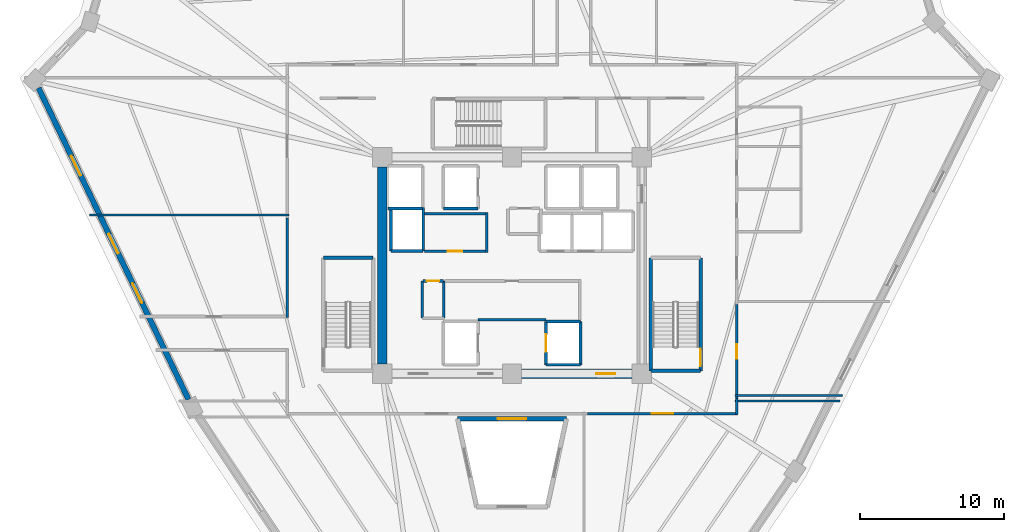
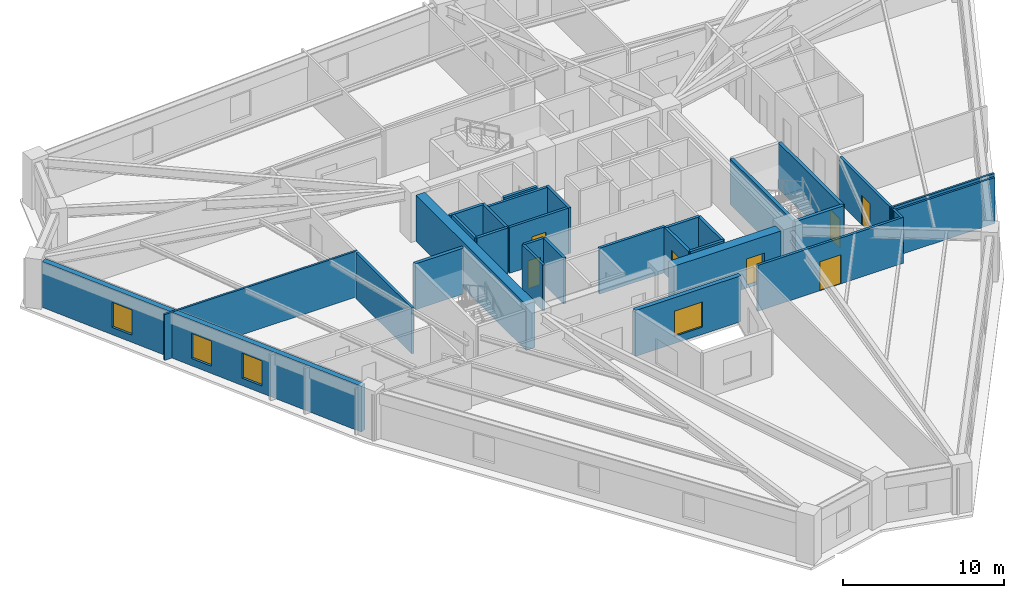
# One storey, part 4 of 9: 31 walls, 7 doors, 4 windows, 11 openings.
"""IFC4 building model written with IfcOpenShell, lengths in metres."""

from ifc_helpers import new_model, si_unit, direction, frame, frame_2d, origin, place, context, subcontext, project, spatial, rectangle, extrude, source, transform, mapped, material, layer, layer_set, type_object, element, fill, save


model = new_model("IFC4")

# Units and contexts
model_context = context("Model", 3, precision=1e-05, world=origin(), true_north=direction((0.0, 1.0)))
body_context = subcontext(model_context, "Body", "Model", "MODEL_VIEW")
ifc_project = project(units=[si_unit("LENGTHUNIT", "METRE"), si_unit("AREAUNIT", "SQUARE_METRE"), si_unit("VOLUMEUNIT", "CUBIC_METRE"), si_unit("PLANEANGLEUNIT", "RADIAN"), si_unit("MASSUNIT", "GRAM", prefix="KILO")], contexts=[model_context])

# Site, building, storey
site_placement = place(None, origin())
site = spatial("IfcSite", under=ifc_project, at=site_placement, CompositionType="ELEMENT")
building_placement = place(site_placement, origin())
building = spatial("IfcBuilding", under=site, at=building_placement, Name="Liaohun Quay Tower", CompositionType="ELEMENT")
storey_placement = place(building_placement, frame((0.0, 0.0, 228.0)))
storey = spatial("IfcBuildingStorey", under=building, at=storey_placement, Name="L59", CompositionType="ELEMENT", Elevation=228.0)

# Wall, opening, window
ifc_material_1 = material(Name="Concrete C50", Category="concrete")
ifc_layer_1 = layer(ifc_material_1, 0.300048828125, Name="Concrete C50", Category="concrete")
ifc_layer_set_1 = layer_set([ifc_layer_1], Name="Concrete C50")
wall_type_1 = type_object("IfcWallType", Name="WAL-ATR-300", PredefinedType="SOLIDWALL", material=ifc_layer_set_1)
wall_1_placement = place(storey_placement, frame((56.236083984375, 43.3701171875, 0.0), z_axis=(0.0, 0.0, 1.0), x_axis=(1.0, 0.0, 0.0)))
wall_1 = element("IfcWall", 1, at=wall_1_placement, inside=storey, type_object=wall_type_1, Name="L59 Atrium Fire Compartment Wall 2", PredefinedType="SOLIDWALL", context=body_context, shape_type="SweptSolid", body=[
    extrude(rectangle(XDim=7.52783203125, YDim=0.300048828125, at=frame_2d((3.763916015625, 0.0))), origin(), (0.0, 0.0, 1.0), 3.469970703125),
])
shared_shape_1 = source(origin(), body_context, "Body", "SweptSolid", [
    extrude(rectangle(XDim=2.0, YDim=1.89990234375, at=frame_2d((1.0, 0.949951171875))), frame((0.0, 0.159912109375, 0.0), z_axis=(0.0, -1.0, 0.0), x_axis=(1.0, 0.0, 0.0)), (0.0, 0.0, 1.0), 0.320068359375),
])
opening_1_placement = place(wall_1_placement, frame((2.763916015625, 0.0, 0.550048828125)))
opening_1 = element("IfcOpeningElement", 2, at=opening_1_placement, cuts=wall_1, Name="Opening W07", PredefinedType="OPENING", context=body_context, shape_type="MappedRepresentation", body=[
    mapped(shared_shape_1, transform((0.0, 0.0, 0.0), x_axis=(1.0, 0.0, 0.0), y_axis=(0.0, 1.0, 0.0), z_axis=(0.0, 0.0, 1.0), scale=1.0)),
])
ifc_material_2 = material(Name="Class A 180-min fire-resistant insulated glazing", Category="glass")
window_type_1 = type_object("IfcWindowType", Name="WIN-ATR-FIR", PartitioningType="DOUBLE_PANEL_VERTICAL", PredefinedType="WINDOW", material=ifc_material_2)
shared_shape_2 = source(origin(), body_context, "Body", "SweptSolid", [
    extrude(rectangle(XDim=2.0, YDim=1.89990234375, at=frame_2d((1.0, 0.949951171875))), frame((0.0, 0.030029296875, 0.0), z_axis=(0.0, -1.0, 0.0), x_axis=(1.0, 0.0, 0.0)), (0.0, 0.0, 1.0), 0.06005859375),
])
window_1_placement = place(opening_1_placement, origin())
window_1 = element("IfcWindow", 3, at=window_1_placement, inside=storey, type_object=window_type_1, Name="L59 Atrium Fire-Resistant Glazing W07-2", OverallHeight=1.89990234375, OverallWidth=2.0, PartitioningType="DOUBLE_PANEL_VERTICAL", PredefinedType="WINDOW", context=body_context, shape_type="MappedRepresentation", body=[
    mapped(shared_shape_2, transform((0.0, 0.0, 0.0), x_axis=(1.0, 0.0, 0.0), y_axis=(0.0, 1.0, 0.0), z_axis=(0.0, 0.0, 1.0), scale=1.0)),
])
fill(opening_1, window_1)

# Wall, opening, door
ifc_material_3 = material(Name="Concrete C55", Category="concrete")
ifc_layer_2 = layer(ifc_material_3, 0.64990234375, Name="Concrete C55", Category="concrete")
ifc_layer_set_2 = layer_set([ifc_layer_2], Name="Concrete C55")
wall_type_2 = type_object("IfcWallType", Name="WAL-COR-Z3", PredefinedType="SHEAR", material=ifc_layer_set_2)
wall_2_placement = place(storey_placement, frame((68.324951171875, 46.5, 0.0), z_axis=(0.0, 0.0, 1.0), x_axis=(-1.0, 0.0, 0.0)))
wall_2 = element("IfcWall", 4, at=wall_2_placement, inside=storey, type_object=wall_type_2, Name="L59 Central Core Shear Wall S-E", PredefinedType="SHEAR", context=body_context, shape_type="SweptSolid", body=[
    extrude(rectangle(XDim=7.64990234375, YDim=0.64990234375, at=frame_2d((3.824951171875, 0.0))), origin(), (0.0, 0.0, 1.0), 3.469970703125),
])
shared_shape_3 = source(origin(), body_context, "Body", "SweptSolid", [
    extrude(rectangle(XDim=1.300048828125, YDim=2.199951171875, at=frame_2d((0.64990234375, 1.10009765625))), frame((0.0, 0.3349609375, 0.0), z_axis=(0.0, -1.0, 0.0), x_axis=(1.0, 0.0, 0.0)), (0.0, 0.0, 1.0), 0.669921875),
])
opening_2_placement = place(wall_2_placement, frame((1.175048828125, 0.0, 0.0)))
opening_2 = element("IfcOpeningElement", 5, at=opening_2_placement, cuts=wall_2, Name="Opening FD1", PredefinedType="OPENING", context=body_context, shape_type="MappedRepresentation", body=[
    mapped(shared_shape_3, transform((0.0, 0.0, 0.0), x_axis=(1.0, 0.0, 0.0), y_axis=(0.0, 1.0, 0.0), z_axis=(0.0, 0.0, 1.0), scale=1.0)),
])
ifc_material_4 = material(Name="Galvanised steel smokeproof fire door", Category="steel")
door_type_1 = type_object("IfcDoorType", Name="DOR-FFL-1300", OperationType="NOTDEFINED", PredefinedType="DOOR", material=ifc_material_4)
shared_shape_4 = source(origin(), body_context, "Body", "SweptSolid", [
    extrude(rectangle(XDim=1.300048828125, YDim=2.199951171875, at=frame_2d((0.64990234375, 1.10009765625))), frame((0.0, 0.02490234375, 0.0), z_axis=(0.0, -1.0, 0.0), x_axis=(1.0, 0.0, 0.0)), (0.0, 0.0, 1.0), 0.050048828125),
])
door_1_placement = place(opening_2_placement, origin())
door_1 = element("IfcDoor", 6, at=door_1_placement, inside=storey, type_object=door_type_1, Name="L59 East Core Lift Lobby Smokeproof Door", OperationType="SINGLE_SWING_LEFT", OverallHeight=2.199951171875, OverallWidth=1.300048828125, PredefinedType="DOOR", context=body_context, shape_type="MappedRepresentation", body=[
    mapped(shared_shape_4, transform((0.0, 0.0, 0.0), x_axis=(1.0, 0.0, 0.0), y_axis=(0.0, 1.0, 0.0), z_axis=(0.0, 0.0, 1.0), scale=1.0)),
])
fill(opening_2, door_1)

# Wall
wall_3_placement = place(storey_placement, frame((51.0, 47.175048828125, 0.0), z_axis=(0.0, 0.0, 1.0), x_axis=(0.0, 1.0, 0.0)))
element("IfcWall", 7, at=wall_3_placement, inside=storey, type_object=wall_type_2, Name="L59 Central Core Shear Wall W", PredefinedType="SHEAR", context=body_context, shape_type="SweptSolid", body=[
    extrude(rectangle(XDim=13.64990234375, YDim=0.64990234375, at=frame_2d((6.824951171875, 0.0))), origin(), (0.0, 0.0, 1.0), 3.469970703125),
])

# Wall, openings, windows
ifc_material_5 = material(Name="Precast concrete C50 insulated sandwich", Category="concrete")
ifc_layer_3 = layer(ifc_material_5, 0.3798828125, Name="Precast concrete C50 insulated sandwich", Category="concrete")
ifc_layer_set_3 = layer_set([ifc_layer_3], Name="Precast concrete C50 insulated sandwich")
wall_type_3 = type_object("IfcWallType", Name="WAL-EXT-Z34", PredefinedType="SOLIDWALL", material=ifc_layer_set_3)
wall_4_placement = place(storey_placement, frame((27.2109375, 66.287109375, 0.0), z_axis=(0.0, 0.0, 1.0), x_axis=(0.433730710757, -0.901042546469, 0.0)))
wall_4 = element("IfcWall", 8, at=wall_4_placement, inside=storey, type_object=wall_type_3, Name="L59 Brutalist Precast Pier Wall 10", PredefinedType="SOLIDWALL", context=body_context, shape_type="SweptSolid", body=[
    extrude(rectangle(XDim=23.947998046875, YDim=0.3798828125, at=frame_2d((11.97412109375, 0.0))), origin(), (0.0, 0.0, 1.0), 3.469970703125),
])
shared_shape_5 = source(origin(), body_context, "Body", "SweptSolid", [
    extrude(rectangle(XDim=1.5, YDim=1.89990234375, at=frame_2d((0.75, 0.949951171875))), frame((0.0, 0.199951171875, 0.0), z_axis=(0.0, -1.0, 0.0), x_axis=(1.0, 0.0, 0.0)), (0.0, 0.0, 1.0), 0.39990234375),
])
opening_3_placement = place(wall_4_placement, frame((5.237060546875, 0.0, 0.550048828125)))
opening_3 = element("IfcOpeningElement", 9, at=opening_3_placement, cuts=wall_4, Name="Opening W03", PredefinedType="OPENING", context=body_context, shape_type="MappedRepresentation", body=[
    mapped(shared_shape_5, transform((0.0, 0.0, 0.0), x_axis=(1.0, 0.0, 0.0), y_axis=(0.0, 1.0, 0.0), z_axis=(0.0, 0.0, 1.0), scale=1.0)),
])
opening_4_placement = place(wall_4_placement, frame((11.22412109375, 0.0, 0.550048828125)))
opening_4 = element("IfcOpeningElement", 10, at=opening_4_placement, cuts=wall_4, Name="Opening W03", PredefinedType="OPENING", context=body_context, shape_type="MappedRepresentation", body=[
    mapped(shared_shape_5, transform((0.0, 0.0, 0.0), x_axis=(1.0, 0.0, 0.0), y_axis=(0.0, 1.0, 0.0), z_axis=(0.0, 0.0, 1.0), scale=1.0)),
])
opening_5_placement = place(wall_4_placement, frame((15.010986328125, 0.0, 0.550048828125)))
opening_5 = element("IfcOpeningElement", 11, at=opening_5_placement, cuts=wall_4, Name="Opening W03", PredefinedType="OPENING", context=body_context, shape_type="MappedRepresentation", body=[
    mapped(shared_shape_5, transform((0.0, 0.0, 0.0), x_axis=(1.0, 0.0, 0.0), y_axis=(0.0, 1.0, 0.0), z_axis=(0.0, 0.0, 1.0), scale=1.0)),
])
ifc_material_6 = material(Name="Triple Low-E argon glazing in thermally broken aluminium", Category="aluminium")
window_type_2 = type_object("IfcWindowType", Name="WIN-PUN-Z3", PartitioningType="DOUBLE_PANEL_VERTICAL", PredefinedType="WINDOW", material=ifc_material_6)
shared_shape_6 = source(origin(), body_context, "Body", "SweptSolid", [
    extrude(rectangle(XDim=1.5, YDim=1.89990234375, at=frame_2d((0.75, 0.949951171875))), frame((0.0, 0.030029296875, 0.0), z_axis=(0.0, -1.0, 0.0), x_axis=(1.0, 0.0, 0.0)), (0.0, 0.0, 1.0), 0.06005859375),
])
window_2_placement = place(opening_3_placement, origin())
window_2 = element("IfcWindow", 12, at=window_2_placement, inside=storey, type_object=window_type_2, Name="L59 Recessed Cold-Climate Punched Window 10-1", OverallHeight=1.89990234375, OverallWidth=1.5, PartitioningType="DOUBLE_PANEL_VERTICAL", PredefinedType="WINDOW", context=body_context, shape_type="MappedRepresentation", body=[
    mapped(shared_shape_6, transform((0.0, 0.0, 0.0), x_axis=(1.0, 0.0, 0.0), y_axis=(0.0, 1.0, 0.0), z_axis=(0.0, 0.0, 1.0), scale=1.0)),
])
fill(opening_3, window_2)
window_3_placement = place(opening_4_placement, origin())
window_3 = element("IfcWindow", 13, at=window_3_placement, inside=storey, type_object=window_type_2, Name="L59 Recessed Cold-Climate Punched Window 10-2", OverallHeight=1.89990234375, OverallWidth=1.5, PartitioningType="DOUBLE_PANEL_VERTICAL", PredefinedType="WINDOW", context=body_context, shape_type="MappedRepresentation", body=[
    mapped(shared_shape_6, transform((0.0, 0.0, 0.0), x_axis=(1.0, 0.0, 0.0), y_axis=(0.0, 1.0, 0.0), z_axis=(0.0, 0.0, 1.0), scale=1.0)),
])
fill(opening_4, window_3)
window_4_placement = place(opening_5_placement, origin())
window_4 = element("IfcWindow", 14, at=window_4_placement, inside=storey, type_object=window_type_2, Name="L59 Recessed Cold-Climate Punched Window 10-3", OverallHeight=1.89990234375, OverallWidth=1.5, PartitioningType="DOUBLE_PANEL_VERTICAL", PredefinedType="WINDOW", context=body_context, shape_type="MappedRepresentation", body=[
    mapped(shared_shape_6, transform((0.0, 0.0, 0.0), x_axis=(1.0, 0.0, 0.0), y_axis=(0.0, 1.0, 0.0), z_axis=(0.0, 0.0, 1.0), scale=1.0)),
])
fill(opening_5, window_4)

# Wall, opening, door
ifc_material_7 = material(Name="Autoclaved aerated concrete blockwork", Category="masonry")
ifc_layer_4 = layer(ifc_material_7, 0.179931640625, Name="Autoclaved aerated concrete blockwork", Category="masonry")
ifc_layer_set_4 = layer_set([ifc_layer_4], Name="Autoclaved aerated concrete blockwork")
wall_type_4 = type_object("IfcWallType", Name="WAL-PRT-COR", PredefinedType="PARTITIONING", material=ifc_layer_set_4)
wall_5_placement = place(storey_placement, frame((53.949951171875, 54.97998046875, 0.0), z_axis=(0.0, 0.0, 1.0), x_axis=(1.0, 0.0, 0.0)))
wall_5 = element("IfcWall", 15, at=wall_5_placement, inside=storey, type_object=wall_type_4, Name="L59 Interior Partition Wall 002", PredefinedType="PARTITIONING", context=body_context, shape_type="SweptSolid", body=[
    extrude(rectangle(XDim=4.2099609375, YDim=0.179931640625, at=frame_2d((2.10498046875, 0.0))), origin(), (0.0, 0.0, 1.0), 3.469970703125),
])
shared_shape_7 = source(origin(), body_context, "Body", "SweptSolid", [
    extrude(rectangle(XDim=1.0, YDim=2.199951171875, at=frame_2d((0.5, 1.10009765625))), frame((0.0, 0.099853515625, 0.0), z_axis=(0.0, -1.0, 0.0), x_axis=(1.0, 0.0, 0.0)), (0.0, 0.0, 1.0), 0.199951171875),
])
opening_6_placement = place(wall_5_placement, frame((1.60009765625, 0.0, 0.0)))
opening_6 = element("IfcOpeningElement", 16, at=opening_6_placement, cuts=wall_5, Name="Opening OD1", PredefinedType="OPENING", context=body_context, shape_type="MappedRepresentation", body=[
    mapped(shared_shape_7, transform((0.0, 0.0, 0.0), x_axis=(1.0, 0.0, 0.0), y_axis=(0.0, 1.0, 0.0), z_axis=(0.0, 0.0, 1.0), scale=1.0)),
])
ifc_material_8 = material(Name="Solid-core oak veneer timber leaf in steel frame", Category="steel")
door_type_2 = type_object("IfcDoorType", Name="DOR-OFF-1000", OperationType="NOTDEFINED", PredefinedType="DOOR", material=ifc_material_8)
shared_shape_8 = source(origin(), body_context, "Body", "SweptSolid", [
    extrude(rectangle(XDim=1.0, YDim=2.199951171875, at=frame_2d((0.5, 1.10009765625))), frame((0.0, 0.02490234375, 0.0), z_axis=(0.0, -1.0, 0.0), x_axis=(1.0, 0.0, 0.0)), (0.0, 0.0, 1.0), 0.050048828125),
])
door_2_placement = place(opening_6_placement, origin())
door_2 = element("IfcDoor", 17, at=door_2_placement, inside=storey, type_object=door_type_2, Name="L59 Core Staff Pantry and Tea Room Door", OperationType="SINGLE_SWING_LEFT", OverallHeight=2.199951171875, OverallWidth=1.0, PredefinedType="DOOR", context=body_context, shape_type="MappedRepresentation", body=[
    mapped(shared_shape_8, transform((0.0, 0.0, 0.0), x_axis=(1.0, 0.0, 0.0), y_axis=(0.0, 1.0, 0.0), z_axis=(0.0, 0.0, 1.0), scale=1.0)),
])
fill(opening_6, door_2)

wall_6_placement = place(storey_placement, frame((53.820068359375, 52.919921875, 0.0), z_axis=(0.0, 0.0, 1.0), x_axis=(1.0, 0.0, 0.0)))
wall_6 = element("IfcWall", 18, at=wall_6_placement, inside=storey, type_object=wall_type_4, Name="L59 Interior Partition Wall 004", PredefinedType="PARTITIONING", context=body_context, shape_type="SweptSolid", body=[
    extrude(rectangle(XDim=1.429931640625, YDim=0.179931640625, at=frame_2d((0.71484375, 0.0))), origin(), (0.0, 0.0, 1.0), 3.469970703125),
])
shared_shape_9 = source(origin(), body_context, "Body", "SweptSolid", [
    extrude(rectangle(XDim=0.85009765625, YDim=2.10009765625, at=frame_2d((0.425048828125, 1.050048828125))), frame((0.0, 0.099853515625, 0.0), z_axis=(0.0, -1.0, 0.0), x_axis=(1.0, 0.0, 0.0)), (0.0, 0.0, 1.0), 0.199951171875),
])
opening_7_placement = place(wall_6_placement, frame((0.2900390625, 0.0, 0.0)))
opening_7 = element("IfcOpeningElement", 19, at=opening_7_placement, cuts=wall_6, Name="Opening AD1", PredefinedType="OPENING", context=body_context, shape_type="MappedRepresentation", body=[
    mapped(shared_shape_9, transform((0.0, 0.0, 0.0), x_axis=(1.0, 0.0, 0.0), y_axis=(0.0, 1.0, 0.0), z_axis=(0.0, 0.0, 1.0), scale=1.0)),
])
ifc_material_9 = material(Name="Steel riser inspection fire door", Category="steel")
door_type_3 = type_object("IfcDoorType", Name="DOR-SHF-850", OperationType="NOTDEFINED", PredefinedType="DOOR", material=ifc_material_9)
shared_shape_10 = source(origin(), body_context, "Body", "SweptSolid", [
    extrude(rectangle(XDim=0.85009765625, YDim=2.10009765625, at=frame_2d((0.425048828125, 1.050048828125))), frame((0.0, 0.02490234375, 0.0), z_axis=(0.0, -1.0, 0.0), x_axis=(1.0, 0.0, 0.0)), (0.0, 0.0, 1.0), 0.050048828125),
])
door_3_placement = place(opening_7_placement, origin())
door_3 = element("IfcDoor", 20, at=door_3_placement, inside=storey, type_object=door_type_3, Name="L59 Mechanical Smoke Duct Room Door", OperationType="SINGLE_SWING_LEFT", OverallHeight=2.10009765625, OverallWidth=0.85009765625, PredefinedType="DOOR", context=body_context, shape_type="MappedRepresentation", body=[
    mapped(shared_shape_10, transform((0.0, 0.0, 0.0), x_axis=(1.0, 0.0, 0.0), y_axis=(0.0, 1.0, 0.0), z_axis=(0.0, 0.0, 1.0), scale=1.0)),
])
fill(opening_7, door_3)

wall_7_placement = place(storey_placement, frame((75.6298828125, 43.739990234375, 0.0), z_axis=(0.0, 0.0, 1.0), x_axis=(-1.0, 0.0, 0.0)))
wall_7 = element("IfcWall", 21, at=wall_7_placement, inside=storey, type_object=wall_type_4, Name="L59 Interior Partition Wall 022", PredefinedType="PARTITIONING", context=body_context, shape_type="SweptSolid", body=[
    extrude(rectangle(XDim=10.414794921875, YDim=0.179931640625, at=frame_2d((5.20751953125, 0.0))), origin(), (0.0, 0.0, 1.0), 3.469970703125),
])
shared_shape_11 = source(origin(), body_context, "Body", "SweptSolid", [
    extrude(rectangle(XDim=1.5, YDim=2.199951171875, at=frame_2d((0.75, 1.10009765625))), frame((0.0, 0.099853515625, 0.0), z_axis=(0.0, -1.0, 0.0), x_axis=(1.0, 0.0, 0.0)), (0.0, 0.0, 1.0), 0.199951171875),
])
opening_8_placement = place(wall_7_placement, frame((4.45703125, 0.0, 0.0)))
opening_8 = element("IfcOpeningElement", 22, at=opening_8_placement, cuts=wall_7, Name="Opening OD2", PredefinedType="OPENING", context=body_context, shape_type="MappedRepresentation", body=[
    mapped(shared_shape_11, transform((0.0, 0.0, 0.0), x_axis=(1.0, 0.0, 0.0), y_axis=(0.0, 1.0, 0.0), z_axis=(0.0, 0.0, 1.0), scale=1.0)),
])
ifc_material_10 = material(Name="Acoustic oak veneer double door")
door_type_4 = type_object("IfcDoorType", Name="DOR-OFF-1500", OperationType="DOUBLE_DOOR_SINGLE_SWING", PredefinedType="DOOR", material=ifc_material_10)
shared_shape_12 = source(origin(), body_context, "Body", "SweptSolid", [
    extrude(rectangle(XDim=1.5, YDim=2.199951171875, at=frame_2d((0.75, 1.10009765625))), frame((0.0, 0.02490234375, 0.0), z_axis=(0.0, -1.0, 0.0), x_axis=(1.0, 0.0, 0.0)), (0.0, 0.0, 1.0), 0.050048828125),
])
door_4_placement = place(opening_8_placement, origin())
door_4 = element("IfcDoor", 23, at=door_4_placement, inside=storey, type_object=door_type_4, Name="L59 Executive Partner Office 11 Door", OperationType="DOUBLE_DOOR_SINGLE_SWING", OverallHeight=2.199951171875, OverallWidth=1.5, PredefinedType="DOOR", context=body_context, shape_type="MappedRepresentation", body=[
    mapped(shared_shape_12, transform((0.0, 0.0, 0.0), x_axis=(1.0, 0.0, 0.0), y_axis=(0.0, 1.0, 0.0), z_axis=(0.0, 0.0, 1.0), scale=1.0)),
])
fill(opening_8, door_4)

wall_8_placement = place(storey_placement, frame((75.56005859375, 51.284912109375, 0.0), z_axis=(0.0, 0.0, 1.0), x_axis=(0.0, -1.0, 0.0)))
wall_8 = element("IfcWall", 24, at=wall_8_placement, inside=storey, type_object=wall_type_4, Name="L59 Interior Partition Wall 023", PredefinedType="PARTITIONING", context=body_context, shape_type="SweptSolid", body=[
    extrude(rectangle(XDim=6.5, YDim=0.179931640625, at=frame_2d((3.25, 0.0))), origin(), (0.0, 0.0, 1.0), 3.469970703125),
])
opening_9_placement = place(wall_8_placement, frame((2.75, 0.0, 0.0)))
opening_9 = element("IfcOpeningElement", 25, at=opening_9_placement, cuts=wall_8, Name="Opening OD1", PredefinedType="OPENING", context=body_context, shape_type="MappedRepresentation", body=[
    mapped(shared_shape_7, transform((0.0, 0.0, 0.0), x_axis=(1.0, 0.0, 0.0), y_axis=(0.0, 1.0, 0.0), z_axis=(0.0, 0.0, 1.0), scale=1.0)),
])
door_5_placement = place(opening_9_placement, origin())
door_5 = element("IfcDoor", 26, at=door_5_placement, inside=storey, type_object=door_type_2, Name="L59 Client Reception Office 12 Door", OperationType="SINGLE_SWING_RIGHT", OverallHeight=2.199951171875, OverallWidth=1.0, PredefinedType="DOOR", context=body_context, shape_type="MappedRepresentation", body=[
    mapped(shared_shape_8, transform((0.0, 0.0, 0.0), x_axis=(1.0, 0.0, 0.0), y_axis=(0.0, 1.0, 0.0), z_axis=(0.0, 0.0, 1.0), scale=1.0)),
])
fill(opening_9, door_5)

# Walls
for number, where, z_axis, x_axis, name in (
    (27, (53.7900390625, 50.35009765625, 0.0), (0.0, 0.0, 1.0), (0.0, 1.0, 0.0), "L59 Interior Partition Wall 027"),
    (28, (55.280029296875, 50.35009765625, 0.0), (0.0, 0.0, 1.0), (0.0, 1.0, 0.0), "L59 Interior Partition Wall 029"),
):
    element("IfcWall", number, at=place(storey_placement, frame(where, z_axis=z_axis, x_axis=x_axis)), inside=storey, type_object=wall_type_4, Name=name, PredefinedType="PARTITIONING", context=body_context, shape_type="SweptSolid", body=[
        extrude(rectangle(XDim=2.56982421875, YDim=0.179931640625, at=frame_2d((1.284912109375, 0.0))), origin(), (0.0, 0.0, 1.0), 3.469970703125),
    ])
wall_9_placement = place(storey_placement, frame((44.43994140625, 50.389892578125, 0.0), z_axis=(0.0, 0.0, 1.0), x_axis=(0.0, 1.0, 0.0)))
element("IfcWall", 29, at=wall_9_placement, inside=storey, type_object=wall_type_4, Name="L59 Interior Partition Wall 042", PredefinedType="PARTITIONING", context=body_context, shape_type="SweptSolid", body=[
    extrude(rectangle(XDim=6.89501953125, YDim=0.179931640625, at=frame_2d((3.447509765625, 0.0))), origin(), (0.0, 0.0, 1.0), 3.469970703125),
])
wall_10_placement = place(storey_placement, frame((75.56005859375, 44.784912109375, 0.0), z_axis=(0.0, 0.0, 1.0), x_axis=(0.0, -1.0, 0.0)))
element("IfcWall", 30, at=wall_10_placement, inside=storey, type_object=wall_type_4, Name="L59 Interior Partition Wall 045", PredefinedType="PARTITIONING", context=body_context, shape_type="SweptSolid", body=[
    extrude(rectangle(XDim=1.114990234375, YDim=0.179931640625, at=frame_2d((0.5576171875, 0.0))), origin(), (0.0, 0.0, 1.0), 3.469970703125),
])
wall_11_placement = place(storey_placement, frame((57.64990234375, 50.25, 0.0), z_axis=(0.0, 0.0, 1.0), x_axis=(1.0, 0.0, 0.0)))
element("IfcWall", 31, at=wall_11_placement, inside=storey, type_object=wall_type_4, Name="L59 Interior Partition Wall 059", PredefinedType="PARTITIONING", context=body_context, shape_type="SweptSolid", body=[
    extrude(rectangle(XDim=4.7001953125, YDim=0.179931640625, at=frame_2d((2.35009765625, 0.0))), origin(), (0.0, 0.0, 1.0), 3.469970703125),
])
wall_12_placement = place(storey_placement, frame((58.25, 54.889892578125, 0.0), z_axis=(0.0, 0.0, 1.0), x_axis=(0.0, 1.0, 0.0)))
element("IfcWall", 32, at=wall_12_placement, inside=storey, type_object=wall_type_4, Name="L59 Interior Partition Wall 060", PredefinedType="PARTITIONING", context=body_context, shape_type="SweptSolid", body=[
    extrude(rectangle(XDim=2.780029296875, YDim=0.179931640625, at=frame_2d((1.39013671875, 0.0))), origin(), (0.0, 0.0, 1.0), 3.469970703125),
])
wall_13_placement = place(storey_placement, frame((53.949951171875, 57.580078125, 0.0), z_axis=(0.0, 0.0, 1.0), x_axis=(1.0, 0.0, 0.0)))
element("IfcWall", 33, at=wall_13_placement, inside=storey, type_object=wall_type_4, Name="L59 Interior Partition Wall 061", PredefinedType="PARTITIONING", context=body_context, shape_type="SweptSolid", body=[
    extrude(rectangle(XDim=4.2099609375, YDim=0.179931640625, at=frame_2d((2.10498046875, 0.0))), origin(), (0.0, 0.0, 1.0), 3.469970703125),
])
ifc_material_11 = material(Name="Gypsum board on twin steel studs", Category="steel")
ifc_layer_5 = layer(ifc_material_11, 0.139892578125, Name="Gypsum board on twin steel studs", Category="steel")
ifc_layer_set_5 = layer_set([ifc_layer_5], Name="Gypsum board on twin steel studs")
wall_type_5 = type_object("IfcWallType", Name="WAL-PRT-OFF", PredefinedType="PARTITIONING", material=ifc_layer_set_5)
wall_14_placement = place(storey_placement, frame((44.5400390625, 57.5, 0.0), z_axis=(0.0, 0.0, 1.0), x_axis=(-1.0, 0.0, 0.0)))
element("IfcWall", 34, at=wall_14_placement, inside=storey, type_object=wall_type_5, Name="L59 Interior Partition Wall 048", PredefinedType="PARTITIONING", context=body_context, shape_type="SweptSolid", body=[
    extrude(rectangle(XDim=13.799072265625, YDim=0.139892578125, at=frame_2d((6.8994140625, 0.0))), origin(), (0.0, 0.0, 1.0), 3.469970703125),
])
wall_15_placement = place(storey_placement, frame((75.4599609375, 44.60009765625, 0.0), z_axis=(0.0, 0.0, 1.0), x_axis=(1.0, 0.0, 0.0)))
element("IfcWall", 35, at=wall_15_placement, inside=storey, type_object=wall_type_5, Name="L59 Interior Partition Wall 050", PredefinedType="PARTITIONING", context=body_context, shape_type="SweptSolid", body=[
    extrude(rectangle(XDim=7.244140625, YDim=0.139892578125, at=frame_2d((3.6220703125, 0.0))), origin(), (0.0, 0.0, 1.0), 3.469970703125),
])
wall_16_placement = place(storey_placement, frame((75.4599609375, 45.0, 0.0), z_axis=(0.0, 0.0, 1.0), x_axis=(1.0, 0.0, 0.0)))
element("IfcWall", 36, at=wall_16_placement, inside=storey, type_object=wall_type_5, Name="L59 Interior Partition Wall 051", PredefinedType="PARTITIONING", context=body_context, shape_type="SweptSolid", body=[
    extrude(rectangle(XDim=7.442138671875, YDim=0.139892578125, at=frame_2d((3.72119140625, 0.0))), origin(), (0.0, 0.0, 1.0), 3.469970703125),
])
ifc_layer_6 = layer(ifc_material_1, 0.239990234375, Name="Concrete C50", Category="concrete")
ifc_layer_set_6 = layer_set([ifc_layer_6], Name="Concrete C50")
wall_type_6 = type_object("IfcWallType", Name="WAL-SHF-200", PredefinedType="SOLIDWALL", material=ifc_layer_set_6)
for number, where, z_axis, x_axis, name in (
    (37, (50.3798828125, 54.52001953125, 0.0), (0.0, 0.0, 1.0), (-1.0, 0.0, 0.0), "L59 Stairwell ST-1 Structural Core Wall N"),
    (38, (69.6201171875, 46.699951171875, 0.0), (0.0, 0.0, 1.0), (1.0, 0.0, 0.0), "L59 Stairwell ST-2 Structural Core Wall S"),
):
    element("IfcWall", number, at=place(storey_placement, frame(where, z_axis=z_axis, x_axis=x_axis)), inside=storey, type_object=wall_type_6, Name=name, PredefinedType="SOLIDWALL", context=body_context, shape_type="SweptSolid", body=[
        extrude(rectangle(XDim=3.43994140625, YDim=0.239990234375, at=frame_2d((1.719970703125, 0.0))), origin(), (0.0, 0.0, 1.0), 3.469970703125),
    ])

# Wall, opening, door
wall_17_placement = place(storey_placement, frame((73.06005859375, 46.699951171875, 0.0), z_axis=(0.0, 0.0, 1.0), x_axis=(0.0, 1.0, 0.0)))
wall_17 = element("IfcWall", 39, at=wall_17_placement, inside=storey, type_object=wall_type_6, Name="L59 Stairwell ST-2 Structural Core Wall E", PredefinedType="SOLIDWALL", context=body_context, shape_type="SweptSolid", body=[
    extrude(rectangle(XDim=7.820068359375, YDim=0.239990234375, at=frame_2d((3.91015625, 0.0))), origin(), (0.0, 0.0, 1.0), 3.469970703125),
])
shared_shape_13 = source(origin(), body_context, "Body", "SweptSolid", [
    extrude(rectangle(XDim=1.199951171875, YDim=2.199951171875, at=frame_2d((0.60009765625, 1.10009765625))), frame((0.0, 0.1298828125, 0.0), z_axis=(0.0, -1.0, 0.0), x_axis=(1.0, 0.0, 0.0)), (0.0, 0.0, 1.0), 0.260009765625),
])
opening_10_placement = place(wall_17_placement, frame((0.320068359375, 0.0, 0.0)))
opening_10 = element("IfcOpeningElement", 40, at=opening_10_placement, cuts=wall_17, Name="Opening SD1", PredefinedType="OPENING", context=body_context, shape_type="MappedRepresentation", body=[
    mapped(shared_shape_13, transform((0.0, 0.0, 0.0), x_axis=(1.0, 0.0, 0.0), y_axis=(0.0, 1.0, 0.0), z_axis=(0.0, 0.0, 1.0), scale=1.0)),
])
ifc_material_12 = material(Name="Galvanised steel fire door", Category="steel")
door_type_5 = type_object("IfcDoorType", Name="DOR-STR-1200", OperationType="NOTDEFINED", PredefinedType="DOOR", material=ifc_material_12)
shared_shape_14 = source(origin(), body_context, "Body", "SweptSolid", [
    extrude(rectangle(XDim=1.199951171875, YDim=2.199951171875, at=frame_2d((0.60009765625, 1.10009765625))), frame((0.0, 0.02490234375, 0.0), z_axis=(0.0, -1.0, 0.0), x_axis=(1.0, 0.0, 0.0)), (0.0, 0.0, 1.0), 0.050048828125),
])
door_6_placement = place(opening_10_placement, origin())
door_6 = element("IfcDoor", 41, at=door_6_placement, inside=storey, type_object=door_type_5, Name="L59 Protected Stair ST-2 Fire Door", OperationType="SINGLE_SWING_RIGHT", OverallHeight=2.199951171875, OverallWidth=1.199951171875, PredefinedType="DOOR", context=body_context, shape_type="MappedRepresentation", body=[
    mapped(shared_shape_14, transform((0.0, 0.0, 0.0), x_axis=(1.0, 0.0, 0.0), y_axis=(0.0, 1.0, 0.0), z_axis=(0.0, 0.0, 1.0), scale=1.0)),
])
fill(opening_10, door_6)

# Walls
wall_18_placement = place(storey_placement, frame((69.6201171875, 54.52001953125, 0.0), z_axis=(0.0, 0.0, 1.0), x_axis=(0.0, -1.0, 0.0)))
element("IfcWall", 42, at=wall_18_placement, inside=storey, type_object=wall_type_6, Name="L59 Stairwell ST-2 Structural Core Wall W", PredefinedType="SOLIDWALL", context=body_context, shape_type="SweptSolid", body=[
    extrude(rectangle(XDim=7.820068359375, YDim=0.239990234375, at=frame_2d((3.91015625, 0.0))), origin(), (0.0, 0.0, 1.0), 3.469970703125),
])
wall_19_placement = place(storey_placement, frame((62.35009765625, 47.1201171875, 0.0), z_axis=(0.0, 0.0, 1.0), x_axis=(1.0, 0.0, 0.0)))
element("IfcWall", 43, at=wall_19_placement, inside=storey, type_object=wall_type_6, Name="L59 Lift FF-02 Hoistway Wall S", PredefinedType="SOLIDWALL", context=body_context, shape_type="SweptSolid", body=[
    extrude(rectangle(XDim=2.39990234375, YDim=0.199951171875, at=frame_2d((1.199951171875, 0.0))), origin(), (0.0, 0.0, 1.0), 3.469970703125),
])
wall_20_placement = place(storey_placement, frame((64.75, 47.1201171875, 0.0), z_axis=(0.0, 0.0, 1.0), x_axis=(0.0, 1.0, 0.0)))
element("IfcWall", 44, at=wall_20_placement, inside=storey, type_object=wall_type_6, Name="L59 Lift FF-02 Hoistway Wall E", PredefinedType="SOLIDWALL", context=body_context, shape_type="SweptSolid", body=[
    extrude(rectangle(XDim=3.0, YDim=0.199951171875, at=frame_2d((1.5, 0.0))), origin(), (0.0, 0.0, 1.0), 3.469970703125),
])
wall_21_placement = place(storey_placement, frame((64.75, 50.1201171875, 0.0), z_axis=(0.0, 0.0, 1.0), x_axis=(-1.0, 0.0, 0.0)))
element("IfcWall", 45, at=wall_21_placement, inside=storey, type_object=wall_type_6, Name="L59 Lift FF-02 Hoistway Wall N", PredefinedType="SOLIDWALL", context=body_context, shape_type="SweptSolid", body=[
    extrude(rectangle(XDim=2.39990234375, YDim=0.199951171875, at=frame_2d((1.199951171875, 0.0))), origin(), (0.0, 0.0, 1.0), 3.469970703125),
])

# Wall, opening, door
wall_22_placement = place(storey_placement, frame((62.35009765625, 50.1201171875, 0.0), z_axis=(0.0, 0.0, 1.0), x_axis=(0.0, -1.0, 0.0)))
wall_22 = element("IfcWall", 46, at=wall_22_placement, inside=storey, type_object=wall_type_6, Name="L59 Lift FF-02 Hoistway Wall W", PredefinedType="SOLIDWALL", context=body_context, shape_type="SweptSolid", body=[
    extrude(rectangle(XDim=3.0, YDim=0.199951171875, at=frame_2d((1.5, 0.0))), origin(), (0.0, 0.0, 1.0), 3.469970703125),
])
shared_shape_15 = source(origin(), body_context, "Body", "SweptSolid", [
    extrude(rectangle(XDim=1.199951171875, YDim=2.300048828125, at=frame_2d((0.60009765625, 1.14990234375))), frame((0.0, 0.10986328125, 0.0), z_axis=(0.0, -1.0, 0.0), x_axis=(1.0, 0.0, 0.0)), (0.0, 0.0, 1.0), 0.219970703125),
])
opening_11_placement = place(wall_22_placement, frame((0.89990234375, 0.0, 0.0)))
opening_11 = element("IfcOpeningElement", 47, at=opening_11_placement, cuts=wall_22, Name="Opening LD2", PredefinedType="OPENING", context=body_context, shape_type="MappedRepresentation", body=[
    mapped(shared_shape_15, transform((0.0, 0.0, 0.0), x_axis=(1.0, 0.0, 0.0), y_axis=(0.0, 1.0, 0.0), z_axis=(0.0, 0.0, 1.0), scale=1.0)),
])
ifc_material_13 = material(Name="Brushed stainless steel stretcher landing door", Category="steel")
door_type_6 = type_object("IfcDoorType", Name="DOR-LFT-1200", OperationType="SLIDING_TO_LEFT", PredefinedType="DOOR", material=ifc_material_13)
shared_shape_16 = source(origin(), body_context, "Body", "SweptSolid", [
    extrude(rectangle(XDim=1.199951171875, YDim=2.300048828125, at=frame_2d((0.60009765625, 1.14990234375))), frame((0.0, 0.02490234375, 0.0), z_axis=(0.0, -1.0, 0.0), x_axis=(1.0, 0.0, 0.0)), (0.0, 0.0, 1.0), 0.050048828125),
])
door_7_placement = place(opening_11_placement, origin())
door_7 = element("IfcDoor", 48, at=door_7_placement, inside=storey, type_object=door_type_6, Name="L59 Lift FF-02 Sliding Landing Door", OperationType="SLIDING_TO_LEFT", OverallHeight=2.300048828125, OverallWidth=1.199951171875, PredefinedType="DOOR", context=body_context, shape_type="MappedRepresentation", body=[
    mapped(shared_shape_16, transform((0.0, 0.0, 0.0), x_axis=(1.0, 0.0, 0.0), y_axis=(0.0, 1.0, 0.0), z_axis=(0.0, 0.0, 1.0), scale=1.0)),
])
fill(opening_11, door_7)

# Walls
wall_23_placement = place(storey_placement, frame((55.25, 57.949951171875, 0.0), z_axis=(0.0, 0.0, 1.0), x_axis=(1.0, 0.0, 0.0)))
element("IfcWall", 49, at=wall_23_placement, inside=storey, type_object=wall_type_6, Name="L59 Lift FF-03 Hoistway Wall S", PredefinedType="SOLIDWALL", context=body_context, shape_type="SweptSolid", body=[
    extrude(rectangle(XDim=2.39990234375, YDim=0.199951171875, at=frame_2d((1.199951171875, 0.0))), origin(), (0.0, 0.0, 1.0), 3.469970703125),
])
wall_24_placement = place(storey_placement, frame((51.39990234375, 57.949951171875, 0.0), z_axis=(0.0, 0.0, 1.0), x_axis=(1.0, 0.0, 0.0)))
element("IfcWall", 50, at=wall_24_placement, inside=storey, type_object=wall_type_6, Name="L59 Lift SH-01 Hoistway Wall S", PredefinedType="SOLIDWALL", context=body_context, shape_type="SweptSolid", body=[
    extrude(rectangle(XDim=2.400146484375, YDim=0.199951171875, at=frame_2d((1.2001953125, 0.0))), origin(), (0.0, 0.0, 1.0), 3.469970703125),
])
wall_25_placement = place(storey_placement, frame((51.6201171875, 55.0, 0.0), z_axis=(0.0, 0.0, 1.0), x_axis=(1.0, 0.0, 0.0)))
element("IfcWall", 51, at=wall_25_placement, inside=storey, type_object=wall_type_6, Name="L59 Lift SH-02 Hoistway Wall S", PredefinedType="SOLIDWALL", context=body_context, shape_type="SweptSolid", body=[
    extrude(rectangle(XDim=2.22998046875, YDim=0.199951171875, at=frame_2d((1.114990234375, 0.0))), origin(), (0.0, 0.0, 1.0), 3.469970703125),
])
for number, where, z_axis, x_axis, name in (
    (52, (53.85009765625, 55.0, 0.0), (0.0, 0.0, 1.0), (0.0, 1.0, 0.0), "L59 Lift SH-02 Hoistway Wall E"),
    (53, (51.6201171875, 58.0, 0.0), (0.0, 0.0, 1.0), (0.0, -1.0, 0.0), "L59 Lift SH-02 Hoistway Wall W"),
):
    element("IfcWall", number, at=place(storey_placement, frame(where, z_axis=z_axis, x_axis=x_axis)), inside=storey, type_object=wall_type_6, Name=name, PredefinedType="SOLIDWALL", context=body_context, shape_type="SweptSolid", body=[
        extrude(rectangle(XDim=3.0, YDim=0.199951171875, at=frame_2d((1.5, 0.0))), origin(), (0.0, 0.0, 1.0), 3.469970703125),
    ])

save(model, "model.ifc")
